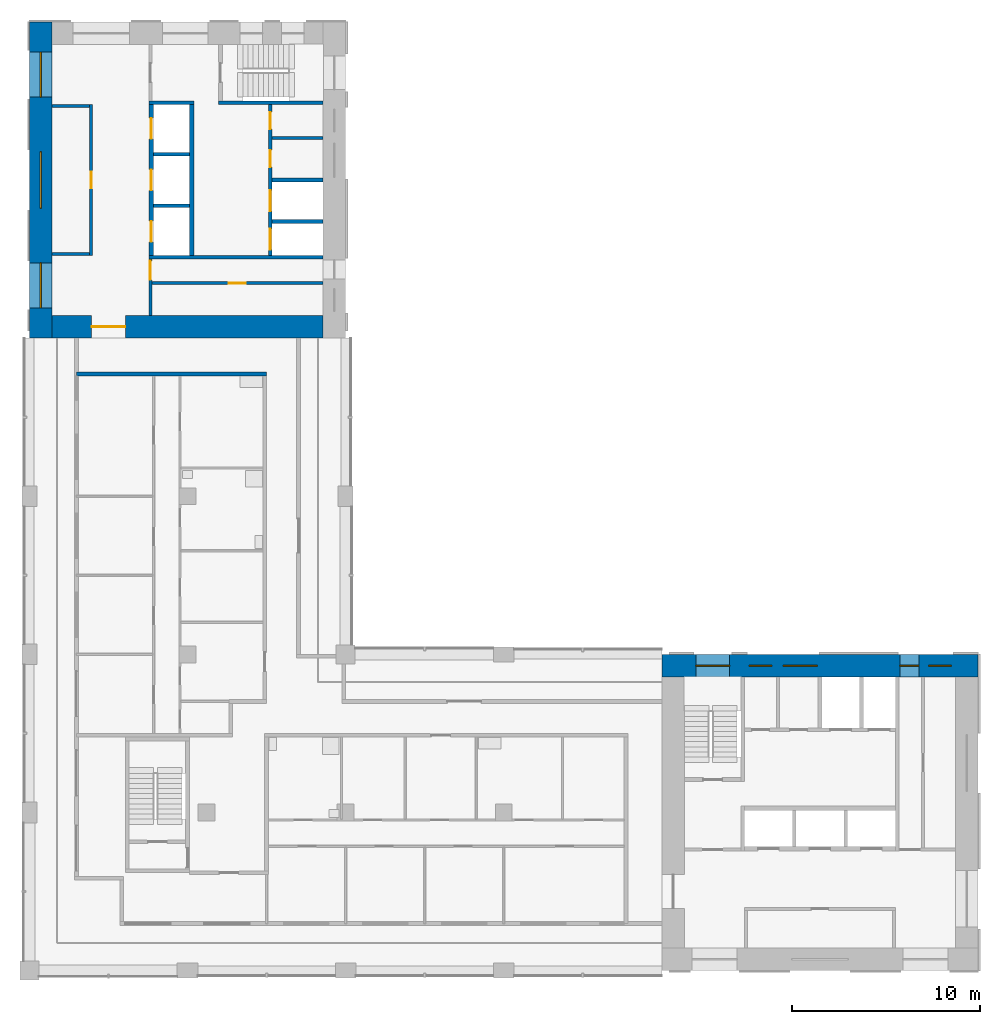
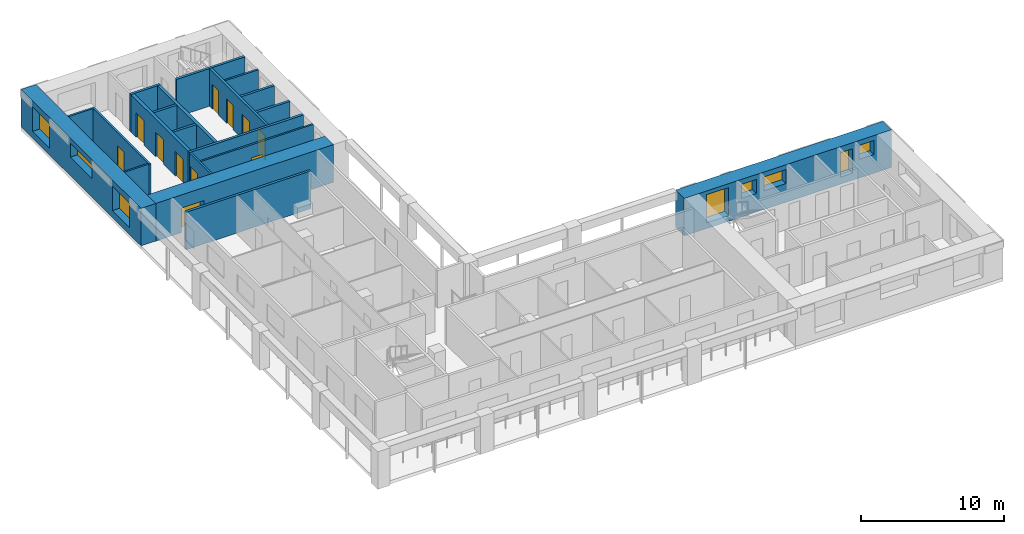
# One storey, part 5 of 9: 20 walls, 11 doors, 8 windows, 19 openings.
"""IFC4 building model written with IfcOpenShell, lengths in metres."""

from ifc_helpers import new_model, si_unit, direction, frame, frame_2d, origin, place, context, subcontext, project, spatial, rectangle, extrude, material, layer, layer_set, type_object, element, fill, save


model = new_model("IFC4")

# Units and contexts
model_context = context("Model", 3, precision=1e-05, world=origin(), true_north=direction((0.0, 1.0)))
body_context = subcontext(model_context, "Body", "Model", "MODEL_VIEW")
ifc_project = project(units=[si_unit("LENGTHUNIT", "METRE"), si_unit("AREAUNIT", "SQUARE_METRE"), si_unit("VOLUMEUNIT", "CUBIC_METRE"), si_unit("PLANEANGLEUNIT", "RADIAN"), si_unit("MASSUNIT", "GRAM", prefix="KILO")], contexts=[model_context])

# Site, building, storey
site_placement = place(None, origin())
site = spatial("IfcSite", under=ifc_project, at=site_placement, CompositionType="ELEMENT")
building_placement = place(site_placement, origin())
building = spatial("IfcBuilding", under=site, at=building_placement, Name="Vermilion Gate Residences", CompositionType="ELEMENT")
storey_placement = place(building_placement, frame((0.0, 0.0, 249.199951171875)))
storey = spatial("IfcBuildingStorey", under=building, at=storey_placement, Name="L65", CompositionType="ELEMENT", Elevation=249.199951171875)

# Walls
ifc_material_1 = material(Name="Masonry blockwork", Category="masonry")
ifc_layer_1 = layer(ifc_material_1, 0.14990234375)
ifc_layer_set_1 = layer_set([ifc_layer_1], Name="BLOCKWORK PARTITION 150 EI 120")
wall_type_1 = type_object("IfcWallType", Name="BLOCKWORK PARTITION 150 EI 120", PredefinedType="PARTITIONING", material=ifc_layer_set_1)
for number, where, z_axis, x_axis, name in (
    (1, (9.60009765625, 54.324951171875, 0.0), (0.0, 0.0, 1.0), (1.0, 0.0, 0.0), "Core room partition B65-RW-W"),
    (2, (9.60009765625, 46.47509765625, 0.0), (0.0, 0.0, 1.0), (1.0, 0.0, 0.0), "Core room partition B65-RW-E"),
):
    element("IfcWall", number, at=place(storey_placement, frame(where, z_axis=z_axis, x_axis=x_axis)), inside=storey, type_object=wall_type_1, Name=name, PredefinedType="PARTITIONING", context=body_context, shape_type="SweptSolid", body=[
        extrude(rectangle(XDim=2.0, YDim=0.14990234375, at=frame_2d((1.0, 0.0))), origin(), (0.0, 0.0, 1.0), 3.219970703125),
    ])

# Wall, opening, door
wall_1_placement = place(storey_placement, frame((11.675048828125, 54.39990234375, 0.0), z_axis=(0.0, 0.0, 1.0), x_axis=(0.0, -1.0, 0.0)))
wall_1 = element("IfcWall", 3, at=wall_1_placement, inside=storey, type_object=wall_type_1, Name="Core room partition B65-LR-F", PredefinedType="PARTITIONING", context=body_context, shape_type="SweptSolid", body=[
    extrude(rectangle(XDim=8.0, YDim=0.14990234375, at=frame_2d((4.0, 0.0))), origin(), (0.0, 0.0, 1.0), 3.219970703125),
])
opening_1_placement = place(wall_1_placement, frame((3.550048828125, 0.0, 0.0)))
opening_1 = element("IfcOpeningElement", 4, at=opening_1_placement, cuts=wall_1, Name="Opening DK65102", PredefinedType="OPENING", context=body_context, shape_type="SweptSolid", body=[
    extrude(rectangle(XDim=0.89990234375, YDim=2.10009765625, at=frame_2d((0.449951171875, 1.050048828125))), frame((0.0, 0.0849609375, 0.0), z_axis=(0.0, -1.0, 0.0), x_axis=(1.0, 0.0, 0.0)), (0.0, 0.0, 1.0), 0.169921875),
])
ifc_material_2 = material(Name="Steel", Category="steel")
door_type_1 = type_object("IfcDoorType", Name="SERVICE ROOM DOOR FD60 900 X 2100", OperationType="SINGLE_SWING_LEFT", PredefinedType="DOOR", material=ifc_material_2)
door_1_placement = place(opening_1_placement, frame((0.89990234375, 0.0, 0.0), z_axis=(0.0, 0.0, 1.0), x_axis=(-1.0, 0.0, 0.0)))
door_1 = element("IfcDoor", 5, at=door_1_placement, inside=storey, type_object=door_type_1, Name="Refuse room B65", OperationType="SINGLE_SWING_RIGHT", OverallHeight=2.10009765625, OverallWidth=0.89990234375, PredefinedType="DOOR", context=body_context, shape_type="SweptSolid", body=[
    extrude(rectangle(XDim=0.89990234375, YDim=2.10009765625, at=frame_2d((0.449951171875, 1.050048828125))), frame((0.0, 0.02490234375, 0.0), z_axis=(0.0, -1.0, 0.0), x_axis=(1.0, 0.0, 0.0)), (0.0, 0.0, 1.0), 0.050048828125),
])
fill(opening_1, door_1)

# Wall
wall_2_placement = place(storey_placement, frame((21.300048828125, 52.637451171875, 0.0), z_axis=(0.0, 0.0, 1.0), x_axis=(1.0, 0.0, 0.0)))
element("IfcWall", 6, at=wall_2_placement, inside=storey, type_object=wall_type_1, Name="Core room partition B65-NR-P0", PredefinedType="PARTITIONING", context=body_context, shape_type="SweptSolid", body=[
    extrude(rectangle(XDim=2.699951171875, YDim=0.14990234375, at=frame_2d((1.35009765625, 0.0))), origin(), (0.0, 0.0, 1.0), 3.219970703125),
])

# Wall, opening, door
wall_3_placement = place(storey_placement, frame((14.824951171875, 46.199951171875, 0.0), z_axis=(0.0, 0.0, 1.0), x_axis=(0.0, -1.0, 0.0)))
wall_3 = element("IfcWall", 7, at=wall_3_placement, inside=storey, type_object=wall_type_1, Name="Core room partition B65-ES-S", PredefinedType="PARTITIONING", context=body_context, shape_type="SweptSolid", body=[
    extrude(rectangle(XDim=3.0, YDim=0.14990234375, at=frame_2d((1.5, 0.0))), origin(), (0.0, 0.0, 1.0), 3.219970703125),
])
opening_2_placement = place(wall_3_placement, frame((0.10009765625, 0.0, 0.0)))
opening_2 = element("IfcOpeningElement", 8, at=opening_2_placement, cuts=wall_3, Name="Opening DK65112", PredefinedType="OPENING", context=body_context, shape_type="SweptSolid", body=[
    extrude(rectangle(XDim=1.0, YDim=2.10009765625, at=frame_2d((0.5, 1.050048828125))), frame((0.0, 0.0849609375, 0.0), z_axis=(0.0, -1.0, 0.0), x_axis=(1.0, 0.0, 0.0)), (0.0, 0.0, 1.0), 0.169921875),
])
ifc_material_3 = material(Name="Steel", Category="steel")
door_type_2 = type_object("IfcDoorType", Name="FIRE DOOR FD60 1000 X 2100", OperationType="SINGLE_SWING_LEFT", PredefinedType="DOOR", material=ifc_material_3)
door_2_placement = place(opening_2_placement, frame((1.0, 0.0, 0.0), z_axis=(0.0, 0.0, 1.0), x_axis=(-1.0, 0.0, 0.0)))
door_2 = element("IfcDoor", 9, at=door_2_placement, inside=storey, type_object=door_type_2, Name="Service corridor door B65", OperationType="SINGLE_SWING_LEFT", OverallHeight=2.10009765625, OverallWidth=1.0, PredefinedType="DOOR", context=body_context, shape_type="SweptSolid", body=[
    extrude(rectangle(XDim=1.0, YDim=2.10009765625, at=frame_2d((0.5, 1.050048828125))), frame((0.0, 0.02490234375, 0.0), z_axis=(0.0, -1.0, 0.0), x_axis=(1.0, 0.0, 0.0)), (0.0, 0.0, 1.0), 0.050048828125),
])
fill(opening_2, door_2)

wall_4_placement = place(storey_placement, frame((14.89990234375, 44.925048828125, 0.0), z_axis=(0.0, 0.0, 1.0), x_axis=(1.0, 0.0, 0.0)))
wall_4 = element("IfcWall", 10, at=wall_4_placement, inside=storey, type_object=wall_type_1, Name="Core room partition B65-ES-W", PredefinedType="PARTITIONING", context=body_context, shape_type="SweptSolid", body=[
    extrude(rectangle(XDim=9.10009765625, YDim=0.14990234375, at=frame_2d((4.550048828125, 0.0))), origin(), (0.0, 0.0, 1.0), 3.219970703125),
])
opening_3_placement = place(wall_4_placement, frame((4.10009765625, 0.0, 0.0)))
opening_3 = element("IfcOpeningElement", 11, at=opening_3_placement, cuts=wall_4, Name="Opening DK65113", PredefinedType="OPENING", context=body_context, shape_type="SweptSolid", body=[
    extrude(rectangle(XDim=0.89990234375, YDim=2.10009765625, at=frame_2d((0.449951171875, 1.050048828125))), frame((0.0, 0.0849609375, 0.0), z_axis=(0.0, -1.0, 0.0), x_axis=(1.0, 0.0, 0.0)), (0.0, 0.0, 1.0), 0.169921875),
])
door_3_placement = place(opening_3_placement, frame((0.89990234375, 0.0, 0.0), z_axis=(0.0, 0.0, 1.0), x_axis=(-1.0, 0.0, 0.0)))
door_3 = element("IfcDoor", 12, at=door_3_placement, inside=storey, type_object=door_type_1, Name="Parcel room B65", OperationType="SINGLE_SWING_RIGHT", OverallHeight=2.10009765625, OverallWidth=0.89990234375, PredefinedType="DOOR", context=body_context, shape_type="SweptSolid", body=[
    extrude(rectangle(XDim=0.89990234375, YDim=2.10009765625, at=frame_2d((0.449951171875, 1.050048828125))), frame((0.0, 0.02490234375, 0.0), z_axis=(0.0, -1.0, 0.0), x_axis=(1.0, 0.0, 0.0)), (0.0, 0.0, 1.0), 0.050048828125),
])
fill(opening_3, door_3)

# Walls
ifc_material_4 = material(Name="Fire-rated plasterboard on steel studs", Category="steel")
ifc_layer_2 = layer(ifc_material_4, 0.199951171875)
ifc_layer_set_2 = layer_set([ifc_layer_2], Name="PARTY WALL 200 EI 120")
wall_type_2 = type_object("IfcWallType", Name="PARTY WALL 200 EI 120", PredefinedType="PARTITIONING", material=ifc_layer_set_2)
wall_5_placement = place(storey_placement, frame((10.89990234375, 40.10009765625, 0.0), z_axis=(0.0, 0.0, 1.0), x_axis=(1.0, 0.0, 0.0)))
element("IfcWall", 13, at=wall_5_placement, inside=storey, type_object=wall_type_2, Name="Party and corridor wall", PredefinedType="PARTITIONING", context=body_context, shape_type="SweptSolid", body=[
    extrude(rectangle(XDim=10.10009765625, YDim=0.199951171875, at=frame_2d((5.050048828125, 0.0))), origin(), (0.0, 0.0, 1.0), 3.219970703125),
])
ifc_material_5 = material(Name="Concrete C60", Category="concrete")
ifc_layer_3 = layer(ifc_material_5, 0.199951171875)
ifc_layer_set_3 = layer_set([ifc_layer_3], Name="RC CORE INTERNAL WALL 200 C60")
wall_type_3 = type_object("IfcWallType", Name="RC CORE INTERNAL WALL 200 C60", PredefinedType="SHEAR", material=ifc_layer_set_3)
for number, where, z_axis, x_axis, name in (
    (14, (15.0, 51.7666015625, 0.0), (0.0, 0.0, 1.0), (1.0, 0.0, 0.0), "Core internal wall B65-HR-D1"),
    (15, (15.0, 49.033447265625, 0.0), (0.0, 0.0, 1.0), (1.0, 0.0, 0.0), "Core internal wall B65-HR-D2"),
):
    element("IfcWall", number, at=place(storey_placement, frame(where, z_axis=z_axis, x_axis=x_axis)), inside=storey, type_object=wall_type_3, Name=name, PredefinedType="SHEAR", context=body_context, shape_type="SweptSolid", body=[
        extrude(rectangle(XDim=1.89990234375, YDim=0.199951171875, at=frame_2d((0.949951171875, 0.0))), origin(), (0.0, 0.0, 1.0), 3.219970703125),
    ])
for number, where, z_axis, x_axis, name in (
    (16, (21.300048828125, 50.39990234375, 0.0), (0.0, 0.0, 1.0), (1.0, 0.0, 0.0), "Core internal wall B65-FF-D0"),
    (17, (21.300048828125, 48.199951171875, 0.0), (0.0, 0.0, 1.0), (1.0, 0.0, 0.0), "Core internal wall B65-FF-D1"),
):
    element("IfcWall", number, at=place(storey_placement, frame(where, z_axis=z_axis, x_axis=x_axis)), inside=storey, type_object=wall_type_3, Name=name, PredefinedType="SHEAR", context=body_context, shape_type="SweptSolid", body=[
        extrude(rectangle(XDim=2.699951171875, YDim=0.199951171875, at=frame_2d((1.35009765625, 0.0))), origin(), (0.0, 0.0, 1.0), 3.219970703125),
    ])

# Wall, openings, doors
wall_6_placement = place(storey_placement, frame((21.199951171875, 54.39990234375, 0.0), z_axis=(0.0, 0.0, 1.0), x_axis=(0.0, -1.0, 0.0)))
wall_6 = element("IfcWall", 18, at=wall_6_placement, inside=storey, type_object=wall_type_3, Name="Core internal wall B65-FF-F", PredefinedType="SHEAR", context=body_context, shape_type="SweptSolid", body=[
    extrude(rectangle(XDim=8.0, YDim=0.199951171875, at=frame_2d((4.0, 0.0))), origin(), (0.0, 0.0, 1.0), 3.219970703125),
])
opening_4_placement = place(wall_6_placement, frame((0.393798828125, 0.0, 0.0)))
opening_4 = element("IfcOpeningElement", 19, at=opening_4_placement, cuts=wall_6, Name="Opening DK65106", PredefinedType="OPENING", context=body_context, shape_type="SweptSolid", body=[
    extrude(rectangle(XDim=0.89990234375, YDim=2.10009765625, at=frame_2d((0.449951171875, 1.050048828125))), frame((0.0, 0.10986328125, 0.0), z_axis=(0.0, -1.0, 0.0), x_axis=(1.0, 0.0, 0.0)), (0.0, 0.0, 1.0), 0.219970703125),
])
opening_5_placement = place(wall_6_placement, frame((2.418701171875, 0.0, 0.0)))
opening_5 = element("IfcOpeningElement", 20, at=opening_5_placement, cuts=wall_6, Name="Opening DK65107", PredefinedType="OPENING", context=body_context, shape_type="SweptSolid", body=[
    extrude(rectangle(XDim=0.89990234375, YDim=2.10009765625, at=frame_2d((0.449951171875, 1.050048828125))), frame((0.0, 0.10986328125, 0.0), z_axis=(0.0, -1.0, 0.0), x_axis=(1.0, 0.0, 0.0)), (0.0, 0.0, 1.0), 0.219970703125),
])
opening_6_placement = place(wall_6_placement, frame((4.550048828125, 0.0, 0.0)))
opening_6 = element("IfcOpeningElement", 21, at=opening_6_placement, cuts=wall_6, Name="Opening LD", PredefinedType="OPENING", context=body_context, shape_type="SweptSolid", body=[
    extrude(rectangle(XDim=1.10009765625, YDim=2.10009765625, at=frame_2d((0.550048828125, 1.050048828125))), frame((0.0, 0.10986328125, 0.0), z_axis=(0.0, -1.0, 0.0), x_axis=(1.0, 0.0, 0.0)), (0.0, 0.0, 1.0), 0.219970703125),
])
opening_7_placement = place(wall_6_placement, frame((6.60009765625, 0.0, 0.0)))
opening_7 = element("IfcOpeningElement", 22, at=opening_7_placement, cuts=wall_6, Name="Opening LD", PredefinedType="OPENING", context=body_context, shape_type="SweptSolid", body=[
    extrude(rectangle(XDim=1.10009765625, YDim=2.10009765625, at=frame_2d((0.550048828125, 1.050048828125))), frame((0.0, 0.10986328125, 0.0), z_axis=(0.0, -1.0, 0.0), x_axis=(1.0, 0.0, 0.0)), (0.0, 0.0, 1.0), 0.219970703125),
])
ifc_material_6 = material(Name="Stainless steel", Category="steel")
door_type_3 = type_object("IfcDoorType", Name="LIFT LANDING DOOR E60 1100 X 2100", OperationType="DOUBLE_DOOR_SLIDING", PredefinedType="DOOR", material=ifc_material_6)
door_4_placement = place(opening_6_placement, origin())
door_4 = element("IfcDoor", 23, at=door_4_placement, inside=storey, type_object=door_type_3, Name="Lift landing door LFB1", OperationType="DOUBLE_DOOR_SLIDING", OverallHeight=2.10009765625, OverallWidth=1.10009765625, PredefinedType="DOOR", context=body_context, shape_type="SweptSolid", body=[
    extrude(rectangle(XDim=1.10009765625, YDim=2.10009765625, at=frame_2d((0.550048828125, 1.050048828125))), frame((0.0, 0.02490234375, 0.0), z_axis=(0.0, -1.0, 0.0), x_axis=(1.0, 0.0, 0.0)), (0.0, 0.0, 1.0), 0.050048828125),
])
fill(opening_6, door_4)
door_5_placement = place(opening_7_placement, origin())
door_5 = element("IfcDoor", 24, at=door_5_placement, inside=storey, type_object=door_type_3, Name="Lift landing door LCB1", OperationType="DOUBLE_DOOR_SLIDING", OverallHeight=2.10009765625, OverallWidth=1.10009765625, PredefinedType="DOOR", context=body_context, shape_type="SweptSolid", body=[
    extrude(rectangle(XDim=1.10009765625, YDim=2.10009765625, at=frame_2d((0.550048828125, 1.050048828125))), frame((0.0, 0.02490234375, 0.0), z_axis=(0.0, -1.0, 0.0), x_axis=(1.0, 0.0, 0.0)), (0.0, 0.0, 1.0), 0.050048828125),
])
fill(opening_7, door_5)
door_6_placement = place(opening_4_placement, origin())
door_6 = element("IfcDoor", 25, at=door_6_placement, inside=storey, type_object=door_type_1, Name="Communications riser B65", OperationType="SINGLE_SWING_RIGHT", OverallHeight=2.10009765625, OverallWidth=0.89990234375, PredefinedType="DOOR", context=body_context, shape_type="SweptSolid", body=[
    extrude(rectangle(XDim=0.89990234375, YDim=2.10009765625, at=frame_2d((0.449951171875, 1.050048828125))), frame((0.0, 0.02490234375, 0.0), z_axis=(0.0, -1.0, 0.0), x_axis=(1.0, 0.0, 0.0)), (0.0, 0.0, 1.0), 0.050048828125),
])
fill(opening_4, door_6)
door_7_placement = place(opening_5_placement, origin())
door_7 = element("IfcDoor", 26, at=door_7_placement, inside=storey, type_object=door_type_1, Name="Refuse room B65", OperationType="SINGLE_SWING_RIGHT", OverallHeight=2.10009765625, OverallWidth=0.89990234375, PredefinedType="DOOR", context=body_context, shape_type="SweptSolid", body=[
    extrude(rectangle(XDim=0.89990234375, YDim=2.10009765625, at=frame_2d((0.449951171875, 1.050048828125))), frame((0.0, 0.02490234375, 0.0), z_axis=(0.0, -1.0, 0.0), x_axis=(1.0, 0.0, 0.0)), (0.0, 0.0, 1.0), 0.050048828125),
])
fill(opening_5, door_7)

# Walls
wall_7_placement = place(storey_placement, frame((14.75, 54.5, 0.0), z_axis=(0.0, 0.0, 1.0), x_axis=(1.0, 0.0, 0.0)))
element("IfcWall", 27, at=wall_7_placement, inside=storey, type_object=wall_type_3, Name="Core internal wall B65-WDIV1", PredefinedType="SHEAR", context=body_context, shape_type="SweptSolid", body=[
    extrude(rectangle(XDim=2.39990234375, YDim=0.199951171875, at=frame_2d((1.199951171875, 0.0))), origin(), (0.0, 0.0, 1.0), 3.219970703125),
])
wall_8_placement = place(storey_placement, frame((18.449951171875, 54.5, 0.0), z_axis=(0.0, 0.0, 1.0), x_axis=(1.0, 0.0, 0.0)))
element("IfcWall", 28, at=wall_8_placement, inside=storey, type_object=wall_type_3, Name="Core internal wall B65-WDIV2", PredefinedType="SHEAR", context=body_context, shape_type="SweptSolid", body=[
    extrude(rectangle(XDim=5.550048828125, YDim=0.199951171875, at=frame_2d((2.77490234375, 0.0))), origin(), (0.0, 0.0, 1.0), 3.219970703125),
])
wall_9_placement = place(storey_placement, frame((14.75, 46.300048828125, 0.0), z_axis=(0.0, 0.0, 1.0), x_axis=(1.0, 0.0, 0.0)))
element("IfcWall", 29, at=wall_9_placement, inside=storey, type_object=wall_type_3, Name="Core internal wall B65-EDIV", PredefinedType="SHEAR", context=body_context, shape_type="SweptSolid", body=[
    extrude(rectangle(XDim=9.25, YDim=0.199951171875, at=frame_2d((4.625, 0.0))), origin(), (0.0, 0.0, 1.0), 3.219970703125),
])

# Wall, opening, door
ifc_material_7 = material(Name="Concrete C50", Category="concrete")
ifc_layer_4 = layer(ifc_material_7, 1.199951171875)
ifc_layer_set_4 = layer_set([ifc_layer_4], Name="RC CORE WALL 1200 C50")
wall_type_4 = type_object("IfcWallType", Name="RC CORE WALL 1200 C50", PredefinedType="SHEAR", material=ifc_layer_set_4)
wall_10_placement = place(storey_placement, frame((9.60009765625, 42.60009765625, 0.0), z_axis=(0.0, 0.0, 1.0), x_axis=(1.0, 0.0, 0.0)))
wall_10 = element("IfcWall", 30, at=wall_10_placement, inside=storey, type_object=wall_type_4, Name="Core wall B65-OUT-BK", PredefinedType="SHEAR", context=body_context, shape_type="SweptSolid", body=[
    extrude(rectangle(XDim=14.39990234375, YDim=1.199951171875, at=frame_2d((7.199951171875, 0.0))), origin(), (0.0, 0.0, 1.0), 3.219970703125),
])
opening_8_placement = place(wall_10_placement, frame((2.10009765625, 0.0, 0.0)))
opening_8 = element("IfcOpeningElement", 31, at=opening_8_placement, cuts=wall_10, Name="Opening DK65101", PredefinedType="OPENING", context=body_context, shape_type="SweptSolid", body=[
    extrude(rectangle(XDim=1.800048828125, YDim=2.10009765625, at=frame_2d((0.89990234375, 1.050048828125))), frame((0.0, 0.60986328125, 0.0), z_axis=(0.0, -1.0, 0.0), x_axis=(1.0, 0.0, 0.0)), (0.0, 0.0, 1.0), 1.219970703125),
])
ifc_material_8 = material(Name="Steel", Category="steel")
door_type_4 = type_object("IfcDoorType", Name="CORE LOBBY DOOR FD60 1800 X 2100", OperationType="DOUBLE_DOOR_SINGLE_SWING", PredefinedType="DOOR", material=ifc_material_8)
door_8_placement = place(opening_8_placement, frame((1.800048828125, 0.0, 0.0), z_axis=(0.0, 0.0, 1.0), x_axis=(-1.0, 0.0, 0.0)))
door_8 = element("IfcDoor", 32, at=door_8_placement, inside=storey, type_object=door_type_4, Name="Core lobby door B65", OperationType="DOUBLE_DOOR_SINGLE_SWING", OverallHeight=2.10009765625, OverallWidth=1.800048828125, PredefinedType="DOOR", context=body_context, shape_type="SweptSolid", body=[
    extrude(rectangle(XDim=1.800048828125, YDim=2.10009765625, at=frame_2d((0.89990234375, 1.050048828125))), frame((0.0, 0.02490234375, 0.0), z_axis=(0.0, -1.0, 0.0), x_axis=(1.0, 0.0, 0.0)), (0.0, 0.0, 1.0), 0.050048828125),
])
fill(opening_8, door_8)

# Wall, openings, windows
ifc_material_9 = material(Name="Concrete C50 red-oxide pigmented", Category="concrete")
ifc_layer_5 = layer(ifc_material_9, 1.199951171875)
ifc_layer_set_5 = layer_set([ifc_layer_5], Name="RC CORE WALL 1200 C50 RED OXIDE")
wall_type_5 = type_object("IfcWallType", Name="RC CORE WALL 1200 C50 RED OXIDE", PredefinedType="SHEAR", material=ifc_layer_set_5)
wall_11_placement = place(storey_placement, frame((42.0, 24.60009765625, 0.0), z_axis=(0.0, 0.0, 1.0), x_axis=(1.0, 0.0, 0.0)))
wall_11 = element("IfcWall", 33, at=wall_11_placement, inside=storey, type_object=wall_type_5, Name="Core wall A65-OUT-B1", PredefinedType="SHEAR", context=body_context, shape_type="SweptSolid", body=[
    extrude(rectangle(XDim=16.800048828125, YDim=1.199951171875, at=frame_2d((8.39990234375, 0.0))), origin(), (0.0, 0.0, 1.0), 3.219970703125),
])
opening_9_placement = place(wall_11_placement, frame((1.800048828125, 0.0, 0.5)))
opening_9 = element("IfcOpeningElement", 34, at=opening_9_placement, cuts=wall_11, Name="Opening WKA6504", PredefinedType="OPENING", context=body_context, shape_type="SweptSolid", body=[
    extrude(rectangle(XDim=1.800048828125, YDim=2.39990234375, at=frame_2d((0.89990234375, 1.199951171875))), frame((0.0, 0.60986328125, 0.0), z_axis=(0.0, -1.0, 0.0), x_axis=(1.0, 0.0, 0.0)), (0.0, 0.0, 1.0), 1.219970703125),
])
opening_10_placement = place(wall_11_placement, frame((4.643798828125, 0.0, 1.60009765625)))
opening_10 = element("IfcOpeningElement", 35, at=opening_10_placement, cuts=wall_11, Name="Opening WKA6505", PredefinedType="OPENING", context=body_context, shape_type="SweptSolid", body=[
    extrude(rectangle(XDim=1.199951171875, YDim=1.199951171875, at=frame_2d((0.60009765625, 0.60009765625))), frame((0.0, 0.60986328125, 0.0), z_axis=(0.0, -1.0, 0.0), x_axis=(1.0, 0.0, 0.0)), (0.0, 0.0, 1.0), 1.219970703125),
])
opening_11_placement = place(wall_11_placement, frame((6.449951171875, 0.0, 1.60009765625)))
opening_11 = element("IfcOpeningElement", 36, at=opening_11_placement, cuts=wall_11, Name="Opening WKA6506", PredefinedType="OPENING", context=body_context, shape_type="SweptSolid", body=[
    extrude(rectangle(XDim=1.800048828125, YDim=1.199951171875, at=frame_2d((0.89990234375, 0.60009765625))), frame((0.0, 0.60986328125, 0.0), z_axis=(0.0, -1.0, 0.0), x_axis=(1.0, 0.0, 0.0)), (0.0, 0.0, 1.0), 1.219970703125),
])
opening_12_placement = place(wall_11_placement, frame((12.64990234375, 0.0, 0.60009765625)))
opening_12 = element("IfcOpeningElement", 37, at=opening_12_placement, cuts=wall_11, Name="Opening WKA6507", PredefinedType="OPENING", context=body_context, shape_type="SweptSolid", body=[
    extrude(rectangle(XDim=1.0, YDim=2.10009765625, at=frame_2d((0.5, 1.050048828125))), frame((0.0, 0.60986328125, 0.0), z_axis=(0.0, -1.0, 0.0), x_axis=(1.0, 0.0, 0.0)), (0.0, 0.0, 1.0), 1.219970703125),
])
opening_13_placement = place(wall_11_placement, frame((14.175048828125, 0.0, 1.60009765625)))
opening_13 = element("IfcOpeningElement", 38, at=opening_13_placement, cuts=wall_11, Name="Opening WKA6508", PredefinedType="OPENING", context=body_context, shape_type="SweptSolid", body=[
    extrude(rectangle(XDim=1.199951171875, YDim=1.199951171875, at=frame_2d((0.60009765625, 0.60009765625))), frame((0.0, 0.60986328125, 0.0), z_axis=(0.0, -1.0, 0.0), x_axis=(1.0, 0.0, 0.0)), (0.0, 0.0, 1.0), 1.219970703125),
])
ifc_material_10 = material(Name="Aluminium and clear glass", Category="aluminium")
window_type_1 = type_object("IfcWindowType", Name="CORE CORRIDOR WINDOW 1000 X 2100", PartitioningType="SINGLE_PANEL", PredefinedType="WINDOW", material=ifc_material_10)
window_1_placement = place(opening_12_placement, origin())
window_1 = element("IfcWindow", 39, at=window_1_placement, inside=storey, type_object=window_type_1, Name="Core corridor window", OverallHeight=2.10009765625, OverallWidth=1.0, PartitioningType="SINGLE_PANEL", PredefinedType="WINDOW", context=body_context, shape_type="SweptSolid", body=[
    extrude(rectangle(XDim=1.0, YDim=2.10009765625, at=frame_2d((0.5, 1.050048828125))), frame((0.0, 0.030029296875, 0.0), z_axis=(0.0, -1.0, 0.0), x_axis=(1.0, 0.0, 0.0)), (0.0, 0.0, 1.0), 0.06005859375),
])
fill(opening_12, window_1)
ifc_material_11 = material(Name="Aluminium frame with louvre blades", Category="aluminium")
window_type_2 = type_object("IfcWindowType", Name="CORE LOUVRE 1200 X 1200", PartitioningType="SINGLE_PANEL", PredefinedType="WINDOW", material=ifc_material_11)
window_2_placement = place(opening_10_placement, origin())
window_2 = element("IfcWindow", 40, at=window_2_placement, inside=storey, type_object=window_type_2, Name="Core louvre", OverallHeight=1.199951171875, OverallWidth=1.199951171875, PartitioningType="SINGLE_PANEL", PredefinedType="WINDOW", context=body_context, shape_type="SweptSolid", body=[
    extrude(rectangle(XDim=1.199951171875, YDim=1.199951171875, at=frame_2d((0.60009765625, 0.60009765625))), frame((0.0, 0.030029296875, 0.0), z_axis=(0.0, -1.0, 0.0), x_axis=(1.0, 0.0, 0.0)), (0.0, 0.0, 1.0), 0.06005859375),
])
fill(opening_10, window_2)
window_3_placement = place(opening_13_placement, origin())
window_3 = element("IfcWindow", 41, at=window_3_placement, inside=storey, type_object=window_type_2, Name="Core louvre", OverallHeight=1.199951171875, OverallWidth=1.199951171875, PartitioningType="SINGLE_PANEL", PredefinedType="WINDOW", context=body_context, shape_type="SweptSolid", body=[
    extrude(rectangle(XDim=1.199951171875, YDim=1.199951171875, at=frame_2d((0.60009765625, 0.60009765625))), frame((0.0, 0.030029296875, 0.0), z_axis=(0.0, -1.0, 0.0), x_axis=(1.0, 0.0, 0.0)), (0.0, 0.0, 1.0), 0.06005859375),
])
fill(opening_13, window_3)
ifc_material_12 = material(Name="Aluminium frame with louvre blades", Category="aluminium")
window_type_3 = type_object("IfcWindowType", Name="CORE LOUVRE 1800 X 1200", PartitioningType="SINGLE_PANEL", PredefinedType="WINDOW", material=ifc_material_12)
window_4_placement = place(opening_11_placement, origin())
window_4 = element("IfcWindow", 42, at=window_4_placement, inside=storey, type_object=window_type_3, Name="Core louvre", OverallHeight=1.199951171875, OverallWidth=1.800048828125, PartitioningType="SINGLE_PANEL", PredefinedType="WINDOW", context=body_context, shape_type="SweptSolid", body=[
    extrude(rectangle(XDim=1.800048828125, YDim=1.199951171875, at=frame_2d((0.89990234375, 0.60009765625))), frame((0.0, 0.030029296875, 0.0), z_axis=(0.0, -1.0, 0.0), x_axis=(1.0, 0.0, 0.0)), (0.0, 0.0, 1.0), 0.06005859375),
])
fill(opening_11, window_4)
ifc_material_13 = material(Name="Aluminium and clear glass", Category="aluminium")
window_type_4 = type_object("IfcWindowType", Name="CORE STAIR WINDOW 1800 X 2400", PartitioningType="SINGLE_PANEL", PredefinedType="WINDOW", material=ifc_material_13)
window_5_placement = place(opening_9_placement, origin())
window_5 = element("IfcWindow", 43, at=window_5_placement, inside=storey, type_object=window_type_4, Name="Core stair window", OverallHeight=2.39990234375, OverallWidth=1.800048828125, PartitioningType="SINGLE_PANEL", PredefinedType="WINDOW", context=body_context, shape_type="SweptSolid", body=[
    extrude(rectangle(XDim=1.800048828125, YDim=2.39990234375, at=frame_2d((0.89990234375, 1.199951171875))), frame((0.0, 0.030029296875, 0.0), z_axis=(0.0, -1.0, 0.0), x_axis=(1.0, 0.0, 0.0)), (0.0, 0.0, 1.0), 0.06005859375),
])
fill(opening_9, window_5)

wall_12_placement = place(storey_placement, frame((9.0, 58.800048828125, 0.0), z_axis=(0.0, 0.0, 1.0), x_axis=(0.0, -1.0, 0.0)))
wall_12 = element("IfcWall", 44, at=wall_12_placement, inside=storey, type_object=wall_type_5, Name="Core wall B65-OUT-B0", PredefinedType="SHEAR", context=body_context, shape_type="SweptSolid", body=[
    extrude(rectangle(XDim=16.800048828125, YDim=1.199951171875, at=frame_2d((8.39990234375, 0.0))), origin(), (0.0, 0.0, 1.0), 3.219970703125),
])
opening_14_placement = place(wall_12_placement, frame((1.60009765625, 0.0, 0.60009765625)))
opening_14 = element("IfcOpeningElement", 45, at=opening_14_placement, cuts=wall_12, Name="Opening WKB6501", PredefinedType="OPENING", context=body_context, shape_type="SweptSolid", body=[
    extrude(rectangle(XDim=2.39990234375, YDim=2.10009765625, at=frame_2d((1.199951171875, 1.050048828125))), frame((0.0, 0.60986328125, 0.0), z_axis=(0.0, -1.0, 0.0), x_axis=(1.0, 0.0, 0.0)), (0.0, 0.0, 1.0), 1.219970703125),
])
opening_15_placement = place(wall_12_placement, frame((6.89990234375, 0.0, 1.60009765625)))
opening_15 = element("IfcOpeningElement", 46, at=opening_15_placement, cuts=wall_12, Name="Opening WKB6502", PredefinedType="OPENING", context=body_context, shape_type="SweptSolid", body=[
    extrude(rectangle(XDim=3.0, YDim=1.199951171875, at=frame_2d((1.5, 0.60009765625))), frame((0.0, 0.60986328125, 0.0), z_axis=(0.0, -1.0, 0.0), x_axis=(1.0, 0.0, 0.0)), (0.0, 0.0, 1.0), 1.219970703125),
])
opening_16_placement = place(wall_12_placement, frame((12.800048828125, 0.0, 0.60009765625)))
opening_16 = element("IfcOpeningElement", 47, at=opening_16_placement, cuts=wall_12, Name="Opening WKB6503", PredefinedType="OPENING", context=body_context, shape_type="SweptSolid", body=[
    extrude(rectangle(XDim=2.39990234375, YDim=2.10009765625, at=frame_2d((1.199951171875, 1.050048828125))), frame((0.0, 0.60986328125, 0.0), z_axis=(0.0, -1.0, 0.0), x_axis=(1.0, 0.0, 0.0)), (0.0, 0.0, 1.0), 1.219970703125),
])
ifc_material_14 = material(Name="Aluminium and clear glass", Category="aluminium")
window_type_5 = type_object("IfcWindowType", Name="CORE LOBBY WINDOW 2400 X 2100", PartitioningType="SINGLE_PANEL", PredefinedType="WINDOW", material=ifc_material_14)
window_6_placement = place(opening_14_placement, origin())
window_6 = element("IfcWindow", 48, at=window_6_placement, inside=storey, type_object=window_type_5, Name="Core lobby window", OverallHeight=2.10009765625, OverallWidth=2.39990234375, PartitioningType="SINGLE_PANEL", PredefinedType="WINDOW", context=body_context, shape_type="SweptSolid", body=[
    extrude(rectangle(XDim=2.39990234375, YDim=2.10009765625, at=frame_2d((1.199951171875, 1.050048828125))), frame((0.0, 0.030029296875, 0.0), z_axis=(0.0, -1.0, 0.0), x_axis=(1.0, 0.0, 0.0)), (0.0, 0.0, 1.0), 0.06005859375),
])
fill(opening_14, window_6)
window_7_placement = place(opening_16_placement, origin())
window_7 = element("IfcWindow", 49, at=window_7_placement, inside=storey, type_object=window_type_5, Name="Core lobby window", OverallHeight=2.10009765625, OverallWidth=2.39990234375, PartitioningType="SINGLE_PANEL", PredefinedType="WINDOW", context=body_context, shape_type="SweptSolid", body=[
    extrude(rectangle(XDim=2.39990234375, YDim=2.10009765625, at=frame_2d((1.199951171875, 1.050048828125))), frame((0.0, 0.030029296875, 0.0), z_axis=(0.0, -1.0, 0.0), x_axis=(1.0, 0.0, 0.0)), (0.0, 0.0, 1.0), 0.06005859375),
])
fill(opening_16, window_7)
ifc_material_15 = material(Name="Aluminium frame with louvre blades", Category="aluminium")
window_type_6 = type_object("IfcWindowType", Name="CORE LOUVRE 3000 X 1200", PartitioningType="SINGLE_PANEL", PredefinedType="WINDOW", material=ifc_material_15)
window_8_placement = place(opening_15_placement, origin())
window_8 = element("IfcWindow", 50, at=window_8_placement, inside=storey, type_object=window_type_6, Name="Core louvre", OverallHeight=1.199951171875, OverallWidth=3.0, PartitioningType="SINGLE_PANEL", PredefinedType="WINDOW", context=body_context, shape_type="SweptSolid", body=[
    extrude(rectangle(XDim=3.0, YDim=1.199951171875, at=frame_2d((1.5, 0.60009765625))), frame((0.0, 0.030029296875, 0.0), z_axis=(0.0, -1.0, 0.0), x_axis=(1.0, 0.0, 0.0)), (0.0, 0.0, 1.0), 0.06005859375),
])
fill(opening_15, window_8)

# Wall, openings, doors
ifc_material_16 = material(Name="Concrete C60", Category="concrete")
ifc_layer_6 = layer(ifc_material_16, 0.25)
ifc_layer_set_6 = layer_set([ifc_layer_6], Name="RC LIFT SHAFT WALL 250 C60")
wall_type_6 = type_object("IfcWallType", Name="RC LIFT SHAFT WALL 250 C60", PredefinedType="SHEAR", material=ifc_layer_set_6)
wall_13_placement = place(storey_placement, frame((14.875, 54.39990234375, 0.0), z_axis=(0.0, 0.0, 1.0), x_axis=(0.0, -1.0, 0.0)))
wall_13 = element("IfcWall", 51, at=wall_13_placement, inside=storey, type_object=wall_type_6, Name="Lift shaft wall B65-HR-F", PredefinedType="SHEAR", context=body_context, shape_type="SweptSolid", body=[
    extrude(rectangle(XDim=8.0, YDim=0.25, at=frame_2d((4.0, 0.0))), origin(), (0.0, 0.0, 1.0), 3.219970703125),
])
opening_17_placement = place(wall_13_placement, frame((0.716552734375, 0.0, 0.0)))
opening_17 = element("IfcOpeningElement", 52, at=opening_17_placement, cuts=wall_13, Name="Opening LD", PredefinedType="OPENING", context=body_context, shape_type="SweptSolid", body=[
    extrude(rectangle(XDim=1.10009765625, YDim=2.10009765625, at=frame_2d((0.550048828125, 1.050048828125))), frame((0.0, 0.135009765625, 0.0), z_axis=(0.0, -1.0, 0.0), x_axis=(1.0, 0.0, 0.0)), (0.0, 0.0, 1.0), 0.27001953125),
])
opening_18_placement = place(wall_13_placement, frame((3.449951171875, 0.0, 0.0)))
opening_18 = element("IfcOpeningElement", 53, at=opening_18_placement, cuts=wall_13, Name="Opening LD", PredefinedType="OPENING", context=body_context, shape_type="SweptSolid", body=[
    extrude(rectangle(XDim=1.10009765625, YDim=2.10009765625, at=frame_2d((0.550048828125, 1.050048828125))), frame((0.0, 0.135009765625, 0.0), z_axis=(0.0, -1.0, 0.0), x_axis=(1.0, 0.0, 0.0)), (0.0, 0.0, 1.0), 0.27001953125),
])
opening_19_placement = place(wall_13_placement, frame((6.183349609375, 0.0, 0.0)))
opening_19 = element("IfcOpeningElement", 54, at=opening_19_placement, cuts=wall_13, Name="Opening LD", PredefinedType="OPENING", context=body_context, shape_type="SweptSolid", body=[
    extrude(rectangle(XDim=1.10009765625, YDim=2.10009765625, at=frame_2d((0.550048828125, 1.050048828125))), frame((0.0, 0.135009765625, 0.0), z_axis=(0.0, -1.0, 0.0), x_axis=(1.0, 0.0, 0.0)), (0.0, 0.0, 1.0), 0.27001953125),
])
door_9_placement = place(opening_17_placement, origin())
door_9 = element("IfcDoor", 55, at=door_9_placement, inside=storey, type_object=door_type_3, Name="Lift landing door HRB1", OperationType="DOUBLE_DOOR_SLIDING", OverallHeight=2.10009765625, OverallWidth=1.10009765625, PredefinedType="DOOR", context=body_context, shape_type="SweptSolid", body=[
    extrude(rectangle(XDim=1.10009765625, YDim=2.10009765625, at=frame_2d((0.550048828125, 1.050048828125))), frame((0.0, 0.02490234375, 0.0), z_axis=(0.0, -1.0, 0.0), x_axis=(1.0, 0.0, 0.0)), (0.0, 0.0, 1.0), 0.050048828125),
])
fill(opening_17, door_9)
door_10_placement = place(opening_18_placement, origin())
door_10 = element("IfcDoor", 56, at=door_10_placement, inside=storey, type_object=door_type_3, Name="Lift landing door HRB2", OperationType="DOUBLE_DOOR_SLIDING", OverallHeight=2.10009765625, OverallWidth=1.10009765625, PredefinedType="DOOR", context=body_context, shape_type="SweptSolid", body=[
    extrude(rectangle(XDim=1.10009765625, YDim=2.10009765625, at=frame_2d((0.550048828125, 1.050048828125))), frame((0.0, 0.02490234375, 0.0), z_axis=(0.0, -1.0, 0.0), x_axis=(1.0, 0.0, 0.0)), (0.0, 0.0, 1.0), 0.050048828125),
])
fill(opening_18, door_10)
door_11_placement = place(opening_19_placement, origin())
door_11 = element("IfcDoor", 57, at=door_11_placement, inside=storey, type_object=door_type_3, Name="Lift landing door HRB3", OperationType="DOUBLE_DOOR_SLIDING", OverallHeight=2.10009765625, OverallWidth=1.10009765625, PredefinedType="DOOR", context=body_context, shape_type="SweptSolid", body=[
    extrude(rectangle(XDim=1.10009765625, YDim=2.10009765625, at=frame_2d((0.550048828125, 1.050048828125))), frame((0.0, 0.02490234375, 0.0), z_axis=(0.0, -1.0, 0.0), x_axis=(1.0, 0.0, 0.0)), (0.0, 0.0, 1.0), 0.050048828125),
])
fill(opening_19, door_11)

# Wall
wall_14_placement = place(storey_placement, frame((17.02490234375, 54.39990234375, 0.0), z_axis=(0.0, 0.0, 1.0), x_axis=(0.0, -1.0, 0.0)))
element("IfcWall", 58, at=wall_14_placement, inside=storey, type_object=wall_type_6, Name="Lift shaft wall B65-HR-B", PredefinedType="SHEAR", context=body_context, shape_type="SweptSolid", body=[
    extrude(rectangle(XDim=8.0, YDim=0.25, at=frame_2d((4.0, 0.0))), origin(), (0.0, 0.0, 1.0), 3.219970703125),
])

save(model, "model.ifc")
